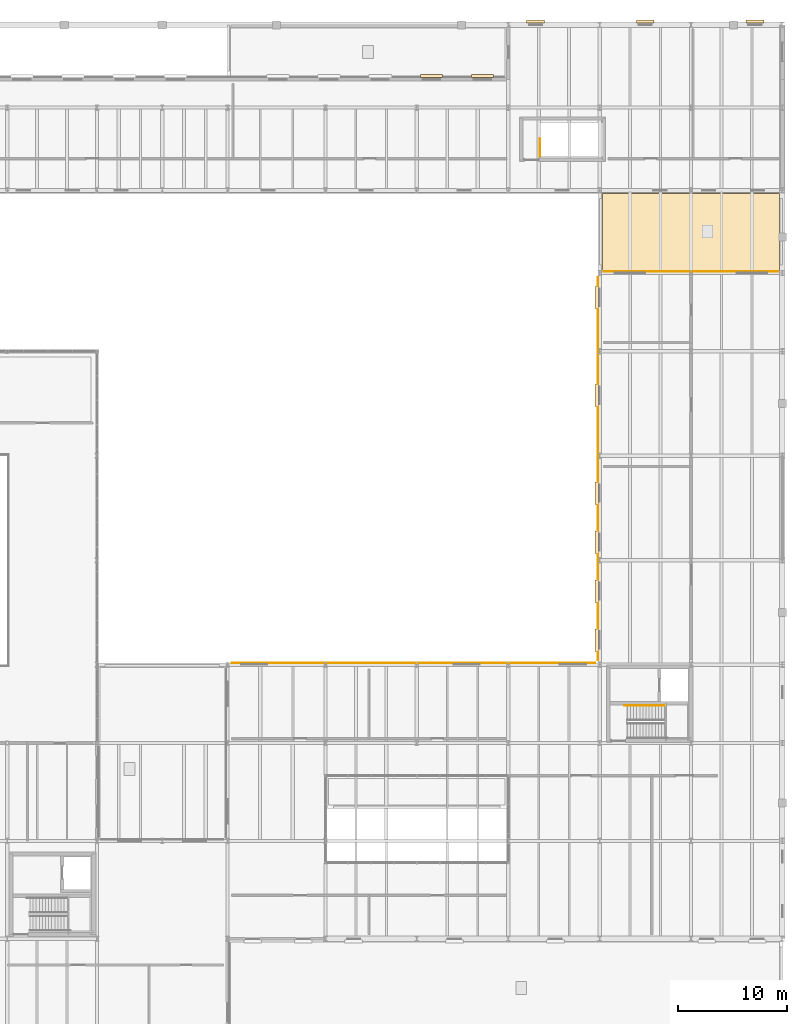
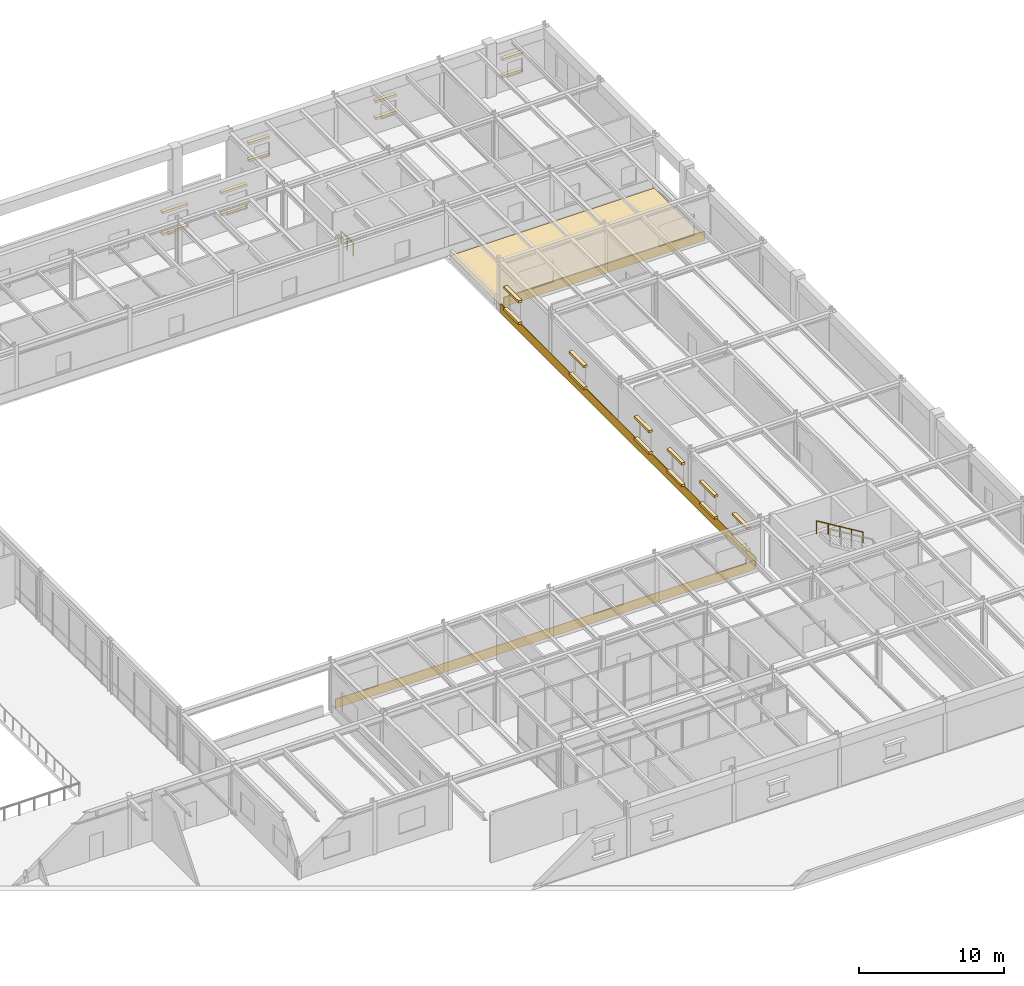
# One storey, part 64 of 64: 26 coverings, 2 railings.
"""IFC4 building model written with IfcOpenShell, lengths in metres."""

from ifc_helpers import new_model, si_unit, direction, frame, origin, origin_2d, place, context, subcontext, project, spatial, polyline, rectangle, circle, outline, extrude, material, layer, layer_set, type_object, element, save


model = new_model("IFC4")

# Units and contexts
model_context = context("Model", 3, precision=1e-05, world=origin(), true_north=direction((0.0, 1.0)))
body_context = subcontext(model_context, "Body", "Model", "MODEL_VIEW")
ifc_project = project(units=[si_unit("LENGTHUNIT", "METRE"), si_unit("AREAUNIT", "SQUARE_METRE"), si_unit("VOLUMEUNIT", "CUBIC_METRE"), si_unit("PLANEANGLEUNIT", "RADIAN"), si_unit("MASSUNIT", "GRAM", prefix="KILO")], contexts=[model_context])

# Site, building, storey
site_placement = place(None, origin())
site = spatial("IfcSite", under=ifc_project, at=site_placement, CompositionType="ELEMENT")
building_placement = place(site_placement, origin())
building = spatial("IfcBuilding", under=site, at=building_placement, Name="Montealbar Specialist Clinic", CompositionType="ELEMENT")
storey_placement = place(building_placement, frame((0.0, 0.0, 5.10009765625)))
storey = spatial("IfcBuildingStorey", under=building, at=storey_placement, Name="L01", CompositionType="ELEMENT", Elevation=5.10009765625)

# Coverings
ifc_material_1 = material(Name="Terracotta architectural cladding", Category="masonry")
ifc_layer_1 = layer(ifc_material_1, 0.044921875, Name="Terracotta architectural cladding", Category="masonry")
ifc_layer_set_1 = layer_set([ifc_layer_1], Name="Terracotta architectural cladding")
covering_type_1 = type_object("IfcCoveringType", Name="COV-CLAD-TERRA", PredefinedType="CLADDING", material=ifc_layer_set_1)
covering_1_placement = place(storey_placement, frame((128.10009765625, 52.35107421875, 0.02978515625), z_axis=(0.0, 0.0, 1.0), x_axis=(1.0, 0.0, 0.0)))
element("IfcCovering", 1, at=covering_1_placement, inside=storey, type_object=covering_type_1, Name="Facade Plinth Cladding Band L01-030", PredefinedType="CLADDING", context=body_context, shape_type="SweptSolid", body=[
    extrude(rectangle(XDim=33.39990234375, YDim=0.044921875, at=origin_2d()), origin(), (0.0, 0.0, 1.0), 0.780029296875),
])
covering_2_placement = place(storey_placement, frame((145.049072265625, 70.199951171875, 0.02978515625), z_axis=(0.0, 0.0, 1.0), x_axis=(0.0, 1.0, 0.0)))
element("IfcCovering", 2, at=covering_2_placement, inside=storey, type_object=covering_type_1, Name="Facade Plinth Cladding Band L01-031", PredefinedType="CLADDING", context=body_context, shape_type="SweptSolid", body=[
    extrude(rectangle(XDim=35.199951171875, YDim=0.044921875, at=origin_2d()), origin(), (0.0, 0.0, 1.0), 0.780029296875),
])
covering_3_placement = place(storey_placement, frame((153.60009765625, 88.35009765625, 0.02978515625), z_axis=(0.0, 0.0, 1.0), x_axis=(1.0, 0.0, 0.0)))
element("IfcCovering", 3, at=covering_3_placement, inside=storey, type_object=covering_type_1, Name="Facade Plinth Cladding Band L01-032", PredefinedType="CLADDING", context=body_context, shape_type="SweptSolid", body=[
    extrude(rectangle(XDim=16.0, YDim=0.044921875, at=origin_2d()), origin(), (0.0, 0.0, 1.0), 0.780029296875),
])
ifc_material_2 = material(Name="Guadarrama granite ashlar", Category="masonry")
ifc_layer_2 = layer(ifc_material_2, 0.280029296875, Name="Guadarrama granite ashlar", Category="masonry")
ifc_layer_set_2 = layer_set([ifc_layer_2], Name="Guadarrama granite ashlar")
covering_type_2 = type_object("IfcCoveringType", Name="COV-HOOD-OCULUS", PredefinedType="CLADDING", material=ifc_layer_set_2)
for number, where, z_axis, x_axis, name in (
    (4, (129.742919921875, 106.31005859375, 2.9150390625), (0.0, 0.0, 1.0), (1.0, 0.0, 0.0), "Postmodern Oculus Stone Frame L01-024-TOP"),
    (5, (129.742919921875, 106.31005859375, 1.0947265625), (0.0, 0.0, 1.0), (1.0, 0.0, 0.0), "Postmodern Oculus Stone Frame L01-024-BOT"),
    (6, (134.447998046875, 106.31005859375, 2.9150390625), (0.0, 0.0, 1.0), (1.0, 0.0, 0.0), "Postmodern Oculus Stone Frame L01-025-TOP"),
    (7, (134.447998046875, 106.31005859375, 1.0947265625), (0.0, 0.0, 1.0), (1.0, 0.0, 0.0), "Postmodern Oculus Stone Frame L01-025-BOT"),
):
    element("IfcCovering", number, at=place(storey_placement, frame(where, z_axis=z_axis, x_axis=x_axis)), inside=storey, type_object=covering_type_2, Name=name, PredefinedType="CLADDING", context=body_context, shape_type="SweptSolid", body=[
        extrude(rectangle(XDim=2.0400390625, YDim=0.280029296875, at=origin_2d()), origin(), (0.0, 0.0, 1.0), 0.199951171875),
    ])
for number, where, z_axis, x_axis, name in (
    (8, (139.320068359375, 111.31005859375, 2.27490234375), (0.0, 0.0, 1.0), (1.0, 0.0, 0.0), "Postmodern Oculus Stone Frame L01-026-TOP"),
    (9, (139.320068359375, 111.31005859375, 0.85498046875), (0.0, 0.0, 1.0), (1.0, 0.0, 0.0), "Postmodern Oculus Stone Frame L01-026-BOT"),
    (10, (149.39990234375, 111.31005859375, 2.27490234375), (0.0, 0.0, 1.0), (1.0, 0.0, 0.0), "Postmodern Oculus Stone Frame L01-027-TOP"),
    (11, (149.39990234375, 111.31005859375, 0.85498046875), (0.0, 0.0, 1.0), (1.0, 0.0, 0.0), "Postmodern Oculus Stone Frame L01-027-BOT"),
    (12, (159.47998046875, 111.31005859375, 2.27490234375), (0.0, 0.0, 1.0), (1.0, 0.0, 0.0), "Postmodern Oculus Stone Frame L01-028-TOP"),
    (13, (159.47998046875, 111.31005859375, 0.85498046875), (0.0, 0.0, 1.0), (1.0, 0.0, 0.0), "Postmodern Oculus Stone Frame L01-028-BOT"),
):
    element("IfcCovering", number, at=place(storey_placement, frame(where, z_axis=z_axis, x_axis=x_axis)), inside=storey, type_object=covering_type_2, Name=name, PredefinedType="CLADDING", context=body_context, shape_type="SweptSolid", body=[
        extrude(rectangle(XDim=1.639892578125, YDim=0.280029296875, at=origin_2d()), origin(), (0.0, 0.0, 1.0), 0.199951171875),
    ])
for number, where, z_axis, x_axis, name in (
    (14, (144.93505859375, 54.449951171875, 2.669921875), (0.0, 0.0, 1.0), (0.0, 1.0, 0.0), "Postmodern Oculus Stone Frame L01-036-TOP"),
    (15, (144.93505859375, 54.449951171875, 0.85009765625), (0.0, 0.0, 1.0), (0.0, 1.0, 0.0), "Postmodern Oculus Stone Frame L01-036-BOT"),
    (16, (144.93505859375, 58.949951171875, 2.669921875), (0.0, 0.0, 1.0), (0.0, 1.0, 0.0), "Postmodern Oculus Stone Frame L01-037-TOP"),
    (17, (144.93505859375, 58.949951171875, 0.85009765625), (0.0, 0.0, 1.0), (0.0, 1.0, 0.0), "Postmodern Oculus Stone Frame L01-037-BOT"),
    (18, (144.93505859375, 63.449951171875, 2.669921875), (0.0, 0.0, 1.0), (0.0, 1.0, 0.0), "Postmodern Oculus Stone Frame L01-038-TOP"),
    (19, (144.93505859375, 63.449951171875, 0.85009765625), (0.0, 0.0, 1.0), (0.0, 1.0, 0.0), "Postmodern Oculus Stone Frame L01-038-BOT"),
    (20, (144.93505859375, 67.949951171875, 2.669921875), (0.0, 0.0, 1.0), (0.0, 1.0, 0.0), "Postmodern Oculus Stone Frame L01-039-TOP"),
    (21, (144.93505859375, 67.949951171875, 0.85009765625), (0.0, 0.0, 1.0), (0.0, 1.0, 0.0), "Postmodern Oculus Stone Frame L01-039-BOT"),
    (22, (144.93505859375, 76.949951171875, 2.669921875), (0.0, 0.0, 1.0), (0.0, 1.0, 0.0), "Postmodern Oculus Stone Frame L01-040-TOP"),
    (23, (144.93505859375, 76.949951171875, 0.85009765625), (0.0, 0.0, 1.0), (0.0, 1.0, 0.0), "Postmodern Oculus Stone Frame L01-040-BOT"),
    (24, (144.93505859375, 85.949951171875, 2.669921875), (0.0, 0.0, 1.0), (0.0, 1.0, 0.0), "Postmodern Oculus Stone Frame L01-041-TOP"),
    (25, (144.93505859375, 85.949951171875, 0.85009765625), (0.0, 0.0, 1.0), (0.0, 1.0, 0.0), "Postmodern Oculus Stone Frame L01-041-BOT"),
):
    element("IfcCovering", number, at=place(storey_placement, frame(where, z_axis=z_axis, x_axis=x_axis)), inside=storey, type_object=covering_type_2, Name=name, PredefinedType="CLADDING", context=body_context, shape_type="SweptSolid", body=[
        extrude(rectangle(XDim=2.0400390625, YDim=0.280029296875, at=origin_2d()), origin(), (0.0, 0.0, 1.0), 0.199951171875),
    ])
ifc_material_3 = material(Name="Weatherproof roofing membrane", Category="concrete")
ifc_layer_3 = layer(ifc_material_3, 0.030029296875, Name="Weatherproof roofing membrane", Category="concrete")
ifc_layer_set_3 = layer_set([ifc_layer_3], Name="Weatherproof roofing membrane")
covering_type_3 = type_object("IfcCoveringType", Name="COV-ROOF-MEMB", PredefinedType="ROOFING", material=ifc_layer_set_3)
covering_4_placement = place(storey_placement, origin())
element("IfcCovering", 26, at=covering_4_placement, inside=storey, type_object=covering_type_3, Name="Weatherproof Roof Membrane ROOF-L01-02", PredefinedType="ROOFING", context=body_context, shape_type="SweptSolid", body=[
    extrude(outline(polyline([(161.719970703125, 95.52001953125), (161.719970703125, 88.47998046875), (145.47998046875, 88.47998046875), (145.47998046875, 95.52001953125), (161.719970703125, 95.52001953125)])), origin(), (0.0, 0.0, 1.0), 0.02978515625),
])

# Railings
ifc_material_4 = material(Name="Steel S355", Category="steel")
ifc_layer_4 = layer(ifc_material_4, 0.050048828125, Name="Steel S355", Category="steel")
ifc_layer_set_4 = layer_set([ifc_layer_4], Name="Steel S355")
railing_type_1 = type_object("IfcRailingType", Name="RAIL-STAIR-BAL-1100", PredefinedType="BALUSTRADE", material=ifc_layer_set_4)
railing_1_placement = place(storey_placement, frame((139.699951171875, 98.89990234375, 0.0)))
element("IfcRailing", 27, at=railing_1_placement, inside=storey, type_object=railing_type_1, Name="L01 ST-07 top well guard 1", PredefinedType="BALUSTRADE", context=body_context, shape_type="SweptSolid", body=[
    extrude(circle(Radius=0.02392578125, at=origin_2d()), frame((0.0, 0.0, 1.076171875), z_axis=(0.0, 1.0, 0.0), x_axis=(-1.0, 0.0, 0.0)), (0.0, 0.0, 1.0), 1.650146484375),
    extrude(circle(Radius=0.02099609375, at=origin_2d()), frame((0.0, 0.0, -0.02490234375)), (0.0, 0.0, 1.0), 1.076904296875),
    extrude(circle(Radius=0.02099609375, at=origin_2d()), frame((0.0, 0.8251953125, -0.02490234375)), (0.0, 0.0, 1.0), 1.076904296875),
    extrude(circle(Radius=0.02099609375, at=origin_2d()), frame((0.0, 1.650146484375, -0.02490234375)), (0.0, 0.0, 1.0), 1.076904296875),
])
ifc_layer_5 = layer(ifc_material_4, 0.044921875, Name="Steel S355", Category="steel")
ifc_layer_set_5 = layer_set([ifc_layer_5], Name="Steel S355")
railing_type_2 = type_object("IfcRailingType", Name="RAIL-STAIR-HR-900", PredefinedType="HANDRAIL", material=ifc_layer_set_5)
railing_2_placement = place(storey_placement, frame((151.169921875, 48.449951171875, 2.423095703125)))
element("IfcRailing", 28, at=railing_2_placement, inside=storey, type_object=railing_type_2, Name="L01 ST-06 stair handrail 2", PredefinedType="HANDRAIL", context=body_context, shape_type="SweptSolid", body=[
    extrude(circle(Radius=0.02392578125, at=origin_2d()), frame((0.0, 0.0, 0.8759765625), z_axis=(-0.854722365387, 0.0, 0.519085424673), x_axis=(0.0, -1.0, 0.0)), (0.0, 0.0, 1.0), 4.33447265625),
    extrude(circle(Radius=0.02099609375, at=origin_2d()), frame((0.0, 0.0, -0.02490234375)), (0.0, 0.0, 1.0), 0.876708984375),
    extrude(circle(Radius=0.02099609375, at=origin_2d()), frame((-0.92626953125, 0.0, 0.53759765625)), (0.0, 0.0, 1.0), 0.876708984375),
    extrude(circle(Radius=0.02099609375, at=origin_2d()), frame((-1.8525390625, 0.0, 1.10009765625)), (0.0, 0.0, 1.0), 0.876708984375),
    extrude(circle(Radius=0.02099609375, at=origin_2d()), frame((-2.778564453125, 0.0, 1.66259765625)), (0.0, 0.0, 1.0), 0.876708984375),
    extrude(circle(Radius=0.02099609375, at=origin_2d()), frame((-3.704833984375, 0.0, 2.052001953125)), (0.0, 0.0, 1.0), 1.0498046875),
])

save(model, "model.ifc")
